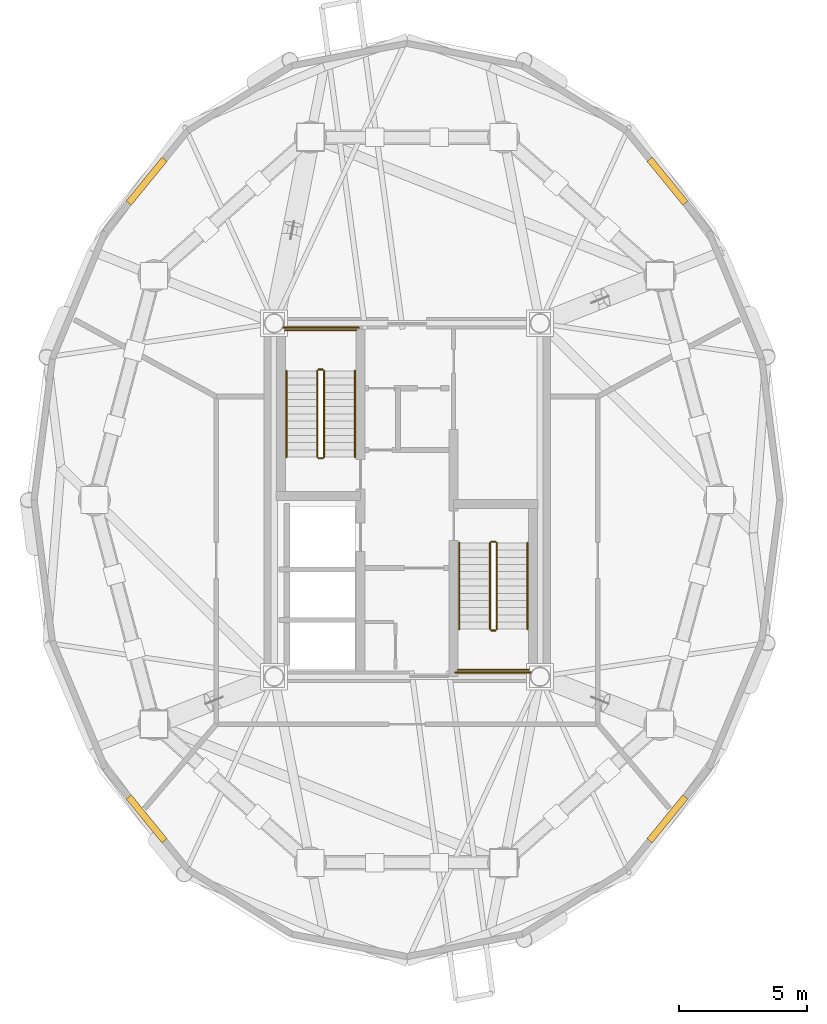
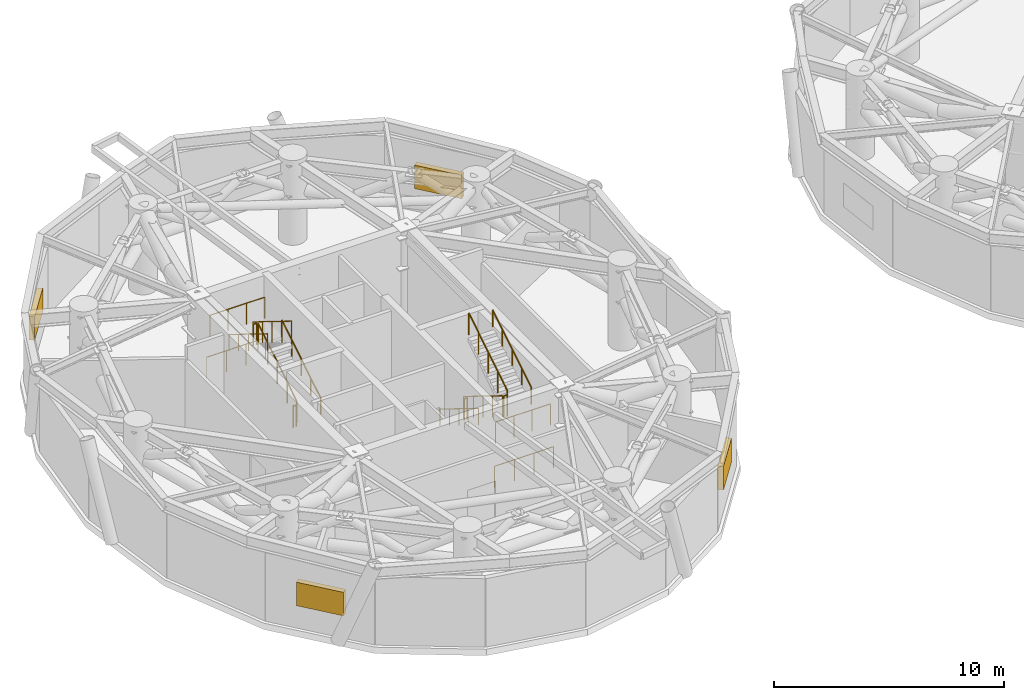
# One storey, part 14 of 16: 16 railings, 4 coverings.
"""IFC4 building model written with IfcOpenShell, lengths in metres."""

from ifc_helpers import new_model, si_unit, direction, frame, origin, origin_2d, place, context, subcontext, project, spatial, rectangle, circle, extrude, source, transform, mapped, material, type_object, element, save


model = new_model("IFC4")

# Units and contexts
model_context = context("Model", 3, precision=1e-05, world=origin(), true_north=direction((0.0, 1.0)))
body_context = subcontext(model_context, "Body", "Model", "MODEL_VIEW")
ifc_project = project(units=[si_unit("LENGTHUNIT", "METRE"), si_unit("AREAUNIT", "SQUARE_METRE"), si_unit("VOLUMEUNIT", "CUBIC_METRE"), si_unit("PLANEANGLEUNIT", "RADIAN"), si_unit("MASSUNIT", "GRAM", prefix="KILO")], contexts=[model_context])

# Site, building, storey
site_placement = place(None, origin())
site = spatial("IfcSite", under=ifc_project, at=site_placement, CompositionType="ELEMENT")
building_placement = place(site_placement, origin())
building = spatial("IfcBuilding", under=site, at=building_placement, Name="Cununo Teusaquillo Station Towers", CompositionType="ELEMENT")
storey_placement = place(building_placement, frame((0.0, 0.0, 147.10009765625)))
storey = spatial("IfcBuildingStorey", under=building, at=storey_placement, Name="L46", CompositionType="ELEMENT", Elevation=147.10009765625)

# Railings
ifc_material_1 = material(Name="Steel EN 10025-2 S355J2", Category="steel")
railing_type_1 = type_object("IfcRailingType", Name="RL-INT-GUARD", PredefinedType="GUARDRAIL", material=ifc_material_1)
railing_1_placement = place(storey_placement, frame((13.27001953125, 26.169921875, 0.173095703125)))
element("IfcRailing", 1, at=railing_1_placement, inside=storey, type_object=railing_type_1, Name="L46 ST-T1-1 stair guard 1", PredefinedType="GUARDRAIL", context=body_context, shape_type="SweptSolid", body=[
    extrude(circle(Radius=0.02392578125, at=origin_2d()), frame((0.0, 0.0, 1.1259765625), z_axis=(0.0, 0.850623216509, 0.525775754039), x_axis=(-1.0, 0.0, 0.0)), (0.0, 0.0, 1.0), 3.9501953125),
    extrude(circle(Radius=0.02099609375, at=origin_2d()), origin(), (0.0, 0.0, 1.0), 1.101806640625),
    extrude(circle(Radius=0.02099609375, at=origin_2d()), frame((0.0, 0.840087890625, 0.519287109375)), (0.0, 0.0, 1.0), 1.101806640625),
    extrude(circle(Radius=0.02099609375, at=origin_2d()), frame((0.0, 1.68017578125, 1.03857421875)), (0.0, 0.0, 1.0), 1.101806640625),
    extrude(circle(Radius=0.02099609375, at=origin_2d()), frame((0.0, 2.52001953125, 1.5576171875)), (0.0, 0.0, 1.0), 1.101806640625),
    extrude(circle(Radius=0.02099609375, at=origin_2d()), frame((0.0, 3.360107421875, 2.076904296875)), (0.0, 0.0, 1.0), 1.101806640625),
])
railing_2_placement = place(storey_placement, frame((13.219970703125, 29.580078125, 2.25)))
element("IfcRailing", 2, at=railing_2_placement, inside=storey, type_object=railing_type_1, Name="L46 ST-T1-1 stair guard 2", PredefinedType="GUARDRAIL", context=body_context, shape_type="SweptSolid", body=[
    extrude(circle(Radius=0.02392578125, at=origin_2d()), frame((0.0, 0.0, 1.1259765625), z_axis=(-1.0, 0.0, 0.0), x_axis=(0.0, -1.0, 0.0)), (0.0, 0.0, 1.0), 0.159912109375),
    extrude(circle(Radius=0.02099609375, at=origin_2d()), origin(), (0.0, 0.0, 1.0), 1.101806640625),
    extrude(circle(Radius=0.02099609375, at=origin_2d()), frame((-0.159912109375, 0.0, 0.0)), (0.0, 0.0, 1.0), 1.101806640625),
])
railing_3_placement = place(storey_placement, frame((14.52001953125, 31.110107421875, 2.25)))
element("IfcRailing", 3, at=railing_3_placement, inside=storey, type_object=railing_type_1, Name="L46 ST-T1-1 stair guard 3", PredefinedType="GUARDRAIL", context=body_context, shape_type="SweptSolid", body=[
    extrude(circle(Radius=0.02392578125, at=origin_2d()), frame((0.0, 0.0, 1.1259765625), z_axis=(-1.0, 0.0, 0.0), x_axis=(0.0, -1.0, 0.0)), (0.0, 0.0, 1.0), 2.760009765625),
    extrude(circle(Radius=0.02099609375, at=origin_2d()), origin(), (0.0, 0.0, 1.0), 1.101806640625),
    extrude(circle(Radius=0.02099609375, at=origin_2d()), frame((-0.919921875, 0.0, 0.0)), (0.0, 0.0, 1.0), 1.101806640625),
    extrude(circle(Radius=0.02099609375, at=origin_2d()), frame((-1.840087890625, 0.0, 0.0)), (0.0, 0.0, 1.0), 1.101806640625),
    extrude(circle(Radius=0.02099609375, at=origin_2d()), frame((-2.760009765625, 0.0, 0.0)), (0.0, 0.0, 1.0), 1.101806640625),
])
railing_4_placement = place(storey_placement, frame((13.010009765625, 29.530029296875, 2.423095703125)))
element("IfcRailing", 4, at=railing_4_placement, inside=storey, type_object=railing_type_1, Name="L46 ST-T1-1 stair guard 4", PredefinedType="GUARDRAIL", context=body_context, shape_type="SweptSolid", body=[
    extrude(circle(Radius=0.02392578125, at=origin_2d()), frame((0.0, 0.0, 1.1259765625), z_axis=(0.0, -0.850623216509, 0.525775754039), x_axis=(1.0, 0.0, 0.0)), (0.0, 0.0, 1.0), 3.9501953125),
    extrude(circle(Radius=0.02099609375, at=origin_2d()), origin(), (0.0, 0.0, 1.0), 1.101806640625),
    extrude(circle(Radius=0.02099609375, at=origin_2d()), frame((0.0, -0.840087890625, 0.519287109375)), (0.0, 0.0, 1.0), 1.101806640625),
    extrude(circle(Radius=0.02099609375, at=origin_2d()), frame((0.0, -1.68017578125, 1.03857421875)), (0.0, 0.0, 1.0), 1.101806640625),
    extrude(circle(Radius=0.02099609375, at=origin_2d()), frame((0.0, -2.52001953125, 1.5576171875)), (0.0, 0.0, 1.0), 1.101806640625),
    extrude(circle(Radius=0.02099609375, at=origin_2d()), frame((0.0, -3.360107421875, 2.076904296875)), (0.0, 0.0, 1.0), 1.101806640625),
])
railing_5_placement = place(storey_placement, frame((13.219970703125, 26.1201171875, 0.0)))
element("IfcRailing", 5, at=railing_5_placement, inside=storey, type_object=railing_type_1, Name="L46 ST-T1-1 stair guard 5", PredefinedType="GUARDRAIL", context=body_context, shape_type="SweptSolid", body=[
    extrude(circle(Radius=0.02392578125, at=origin_2d()), frame((0.0, 0.0, 1.1259765625), z_axis=(-1.0, 0.0, 0.0), x_axis=(0.0, -1.0, 0.0)), (0.0, 0.0, 1.0), 0.159912109375),
    extrude(circle(Radius=0.02099609375, at=origin_2d()), origin(), (0.0, 0.0, 1.0), 1.101806640625),
    extrude(circle(Radius=0.02099609375, at=origin_2d()), frame((-0.159912109375, 0.0, 0.0)), (0.0, 0.0, 1.0), 1.101806640625),
])
railing_6_placement = place(storey_placement, frame((14.6201171875, 31.2099609375, 0.0)))
element("IfcRailing", 6, at=railing_6_placement, inside=storey, type_object=railing_type_1, Name="L46 ST-T1-1 stair guard 6", PredefinedType="GUARDRAIL", context=body_context, shape_type="SweptSolid", body=[
    extrude(circle(Radius=0.02392578125, at=origin_2d()), frame((0.0, 0.0, 1.1259765625), z_axis=(-1.0, 0.0, 0.0), x_axis=(0.0, -1.0, 0.0)), (0.0, 0.0, 1.0), 2.960205078125),
    extrude(circle(Radius=0.02099609375, at=origin_2d()), origin(), (0.0, 0.0, 1.0), 1.101806640625),
    extrude(circle(Radius=0.02099609375, at=origin_2d()), frame((-0.98681640625, 0.0, 0.0)), (0.0, 0.0, 1.0), 1.101806640625),
    extrude(circle(Radius=0.02099609375, at=origin_2d()), frame((-1.973388671875, 0.0, 0.0)), (0.0, 0.0, 1.0), 1.101806640625),
    extrude(circle(Radius=0.02099609375, at=origin_2d()), frame((-2.960205078125, 0.0, 0.0)), (0.0, 0.0, 1.0), 1.101806640625),
])
railing_7_placement = place(storey_placement, frame((19.72998046875, 22.830078125, 0.173095703125)))
element("IfcRailing", 7, at=railing_7_placement, inside=storey, type_object=railing_type_1, Name="L46 ST-T1-2 stair guard 1", PredefinedType="GUARDRAIL", context=body_context, shape_type="SweptSolid", body=[
    extrude(circle(Radius=0.02392578125, at=origin_2d()), frame((0.0, 0.0, 1.1259765625), z_axis=(0.0, -0.850623216509, 0.525775754039), x_axis=(1.0, 0.0, 0.0)), (0.0, 0.0, 1.0), 3.9501953125),
    extrude(circle(Radius=0.02099609375, at=origin_2d()), origin(), (0.0, 0.0, 1.0), 1.101806640625),
    extrude(circle(Radius=0.02099609375, at=origin_2d()), frame((0.0, -0.840087890625, 0.519287109375)), (0.0, 0.0, 1.0), 1.101806640625),
    extrude(circle(Radius=0.02099609375, at=origin_2d()), frame((0.0, -1.68017578125, 1.03857421875)), (0.0, 0.0, 1.0), 1.101806640625),
    extrude(circle(Radius=0.02099609375, at=origin_2d()), frame((0.0, -2.52001953125, 1.5576171875)), (0.0, 0.0, 1.0), 1.101806640625),
    extrude(circle(Radius=0.02099609375, at=origin_2d()), frame((0.0, -3.360107421875, 2.076904296875)), (0.0, 0.0, 1.0), 1.101806640625),
])
railing_8_placement = place(storey_placement, frame((19.780029296875, 19.419921875, 2.25)))
element("IfcRailing", 8, at=railing_8_placement, inside=storey, type_object=railing_type_1, Name="L46 ST-T1-2 stair guard 2", PredefinedType="GUARDRAIL", context=body_context, shape_type="SweptSolid", body=[
    extrude(circle(Radius=0.02392578125, at=origin_2d()), frame((0.0, 0.0, 1.1259765625), z_axis=(1.0, 0.0, 0.0), x_axis=(0.0, 1.0, 0.0)), (0.0, 0.0, 1.0), 0.159912109375),
    extrude(circle(Radius=0.02099609375, at=origin_2d()), origin(), (0.0, 0.0, 1.0), 1.101806640625),
    extrude(circle(Radius=0.02099609375, at=origin_2d()), frame((0.159912109375, 0.0, 0.0)), (0.0, 0.0, 1.0), 1.101806640625),
])
railing_9_placement = place(storey_placement, frame((18.47998046875, 17.889892578125, 2.25)))
element("IfcRailing", 9, at=railing_9_placement, inside=storey, type_object=railing_type_1, Name="L46 ST-T1-2 stair guard 3", PredefinedType="GUARDRAIL", context=body_context, shape_type="SweptSolid", body=[
    extrude(circle(Radius=0.02392578125, at=origin_2d()), frame((0.0, 0.0, 1.1259765625), z_axis=(1.0, 0.0, 0.0), x_axis=(0.0, 1.0, 0.0)), (0.0, 0.0, 1.0), 2.760009765625),
    extrude(circle(Radius=0.02099609375, at=origin_2d()), origin(), (0.0, 0.0, 1.0), 1.101806640625),
    extrude(circle(Radius=0.02099609375, at=origin_2d()), frame((0.919921875, 0.0, 0.0)), (0.0, 0.0, 1.0), 1.101806640625),
    extrude(circle(Radius=0.02099609375, at=origin_2d()), frame((1.840087890625, 0.0, 0.0)), (0.0, 0.0, 1.0), 1.101806640625),
    extrude(circle(Radius=0.02099609375, at=origin_2d()), frame((2.760009765625, 0.0, 0.0)), (0.0, 0.0, 1.0), 1.101806640625),
])
railing_10_placement = place(storey_placement, frame((19.989990234375, 19.469970703125, 2.423095703125)))
element("IfcRailing", 10, at=railing_10_placement, inside=storey, type_object=railing_type_1, Name="L46 ST-T1-2 stair guard 4", PredefinedType="GUARDRAIL", context=body_context, shape_type="SweptSolid", body=[
    extrude(circle(Radius=0.02392578125, at=origin_2d()), frame((0.0, 0.0, 1.1259765625), z_axis=(0.0, 0.850623216509, 0.525775754039), x_axis=(-1.0, 0.0, 0.0)), (0.0, 0.0, 1.0), 3.9501953125),
    extrude(circle(Radius=0.02099609375, at=origin_2d()), origin(), (0.0, 0.0, 1.0), 1.101806640625),
    extrude(circle(Radius=0.02099609375, at=origin_2d()), frame((0.0, 0.840087890625, 0.519287109375)), (0.0, 0.0, 1.0), 1.101806640625),
    extrude(circle(Radius=0.02099609375, at=origin_2d()), frame((0.0, 1.68017578125, 1.03857421875)), (0.0, 0.0, 1.0), 1.101806640625),
    extrude(circle(Radius=0.02099609375, at=origin_2d()), frame((0.0, 2.52001953125, 1.5576171875)), (0.0, 0.0, 1.0), 1.101806640625),
    extrude(circle(Radius=0.02099609375, at=origin_2d()), frame((0.0, 3.360107421875, 2.076904296875)), (0.0, 0.0, 1.0), 1.101806640625),
])
railing_11_placement = place(storey_placement, frame((19.780029296875, 22.8798828125, 0.0)))
element("IfcRailing", 11, at=railing_11_placement, inside=storey, type_object=railing_type_1, Name="L46 ST-T1-2 stair guard 5", PredefinedType="GUARDRAIL", context=body_context, shape_type="SweptSolid", body=[
    extrude(circle(Radius=0.02392578125, at=origin_2d()), frame((0.0, 0.0, 1.1259765625), z_axis=(1.0, 0.0, 0.0), x_axis=(0.0, 1.0, 0.0)), (0.0, 0.0, 1.0), 0.159912109375),
    extrude(circle(Radius=0.02099609375, at=origin_2d()), origin(), (0.0, 0.0, 1.0), 1.101806640625),
    extrude(circle(Radius=0.02099609375, at=origin_2d()), frame((0.159912109375, 0.0, 0.0)), (0.0, 0.0, 1.0), 1.101806640625),
])
railing_12_placement = place(storey_placement, frame((18.3798828125, 17.7900390625, 0.0)))
element("IfcRailing", 12, at=railing_12_placement, inside=storey, type_object=railing_type_1, Name="L46 ST-T1-2 stair guard 6", PredefinedType="GUARDRAIL", context=body_context, shape_type="SweptSolid", body=[
    extrude(circle(Radius=0.02392578125, at=origin_2d()), frame((0.0, 0.0, 1.1259765625), z_axis=(1.0, 0.0, 0.0), x_axis=(0.0, 1.0, 0.0)), (0.0, 0.0, 1.0), 2.960205078125),
    extrude(circle(Radius=0.02099609375, at=origin_2d()), origin(), (0.0, 0.0, 1.0), 1.101806640625),
    extrude(circle(Radius=0.02099609375, at=origin_2d()), frame((0.98681640625, 0.0, 0.0)), (0.0, 0.0, 1.0), 1.101806640625),
    extrude(circle(Radius=0.02099609375, at=origin_2d()), frame((1.973388671875, 0.0, 0.0)), (0.0, 0.0, 1.0), 1.101806640625),
    extrude(circle(Radius=0.02099609375, at=origin_2d()), frame((2.960205078125, 0.0, 0.0)), (0.0, 0.0, 1.0), 1.101806640625),
])
ifc_material_2 = material(Name="Steel EN 10025-2 S355J2", Category="steel")
railing_type_2 = type_object("IfcRailingType", Name="RL-INT-HRAIL", PredefinedType="HANDRAIL", material=ifc_material_2)
railing_13_placement = place(storey_placement, frame((14.469970703125, 26.169921875, 0.173095703125)))
element("IfcRailing", 13, at=railing_13_placement, inside=storey, type_object=railing_type_2, Name="L46 ST-T1-1 stair handrail 1", PredefinedType="HANDRAIL", context=body_context, shape_type="SweptSolid", body=[
    extrude(circle(Radius=0.02392578125, at=origin_2d()), frame((0.0, 0.0, 0.8759765625), z_axis=(0.0, 0.850623216509, 0.525775754039), x_axis=(-1.0, 0.0, 0.0)), (0.0, 0.0, 1.0), 3.9501953125),
    extrude(circle(Radius=0.02099609375, at=origin_2d()), origin(), (0.0, 0.0, 1.0), 0.851806640625),
    extrude(circle(Radius=0.02099609375, at=origin_2d()), frame((0.0, 0.840087890625, 0.519287109375)), (0.0, 0.0, 1.0), 0.851806640625),
    extrude(circle(Radius=0.02099609375, at=origin_2d()), frame((0.0, 1.68017578125, 1.03857421875)), (0.0, 0.0, 1.0), 0.851806640625),
    extrude(circle(Radius=0.02099609375, at=origin_2d()), frame((0.0, 2.52001953125, 1.5576171875)), (0.0, 0.0, 1.0), 0.851806640625),
    extrude(circle(Radius=0.02099609375, at=origin_2d()), frame((0.0, 3.360107421875, 2.076904296875)), (0.0, 0.0, 1.0), 0.851806640625),
])
for number, where, name in (
    (14, (11.81005859375, 29.530029296875, 2.423095703125), "L46 ST-T1-1 stair handrail 2"),
    (15, (18.530029296875, 22.830078125, 0.173095703125), "L46 ST-T1-2 stair handrail 1"),
):
    element("IfcRailing", number, at=place(storey_placement, frame(where)), inside=storey, type_object=railing_type_2, Name=name, PredefinedType="HANDRAIL", context=body_context, shape_type="SweptSolid", body=[
        extrude(circle(Radius=0.02392578125, at=origin_2d()), frame((0.0, 0.0, 0.8759765625), z_axis=(0.0, -0.850623216509, 0.525775754039), x_axis=(1.0, 0.0, 0.0)), (0.0, 0.0, 1.0), 3.9501953125),
        extrude(circle(Radius=0.02099609375, at=origin_2d()), origin(), (0.0, 0.0, 1.0), 0.851806640625),
        extrude(circle(Radius=0.02099609375, at=origin_2d()), frame((0.0, -0.840087890625, 0.519287109375)), (0.0, 0.0, 1.0), 0.851806640625),
        extrude(circle(Radius=0.02099609375, at=origin_2d()), frame((0.0, -1.68017578125, 1.03857421875)), (0.0, 0.0, 1.0), 0.851806640625),
        extrude(circle(Radius=0.02099609375, at=origin_2d()), frame((0.0, -2.52001953125, 1.5576171875)), (0.0, 0.0, 1.0), 0.851806640625),
        extrude(circle(Radius=0.02099609375, at=origin_2d()), frame((0.0, -3.360107421875, 2.076904296875)), (0.0, 0.0, 1.0), 0.851806640625),
    ])
railing_14_placement = place(storey_placement, frame((21.18994140625, 19.469970703125, 2.423095703125)))
element("IfcRailing", 16, at=railing_14_placement, inside=storey, type_object=railing_type_2, Name="L46 ST-T1-2 stair handrail 2", PredefinedType="HANDRAIL", context=body_context, shape_type="SweptSolid", body=[
    extrude(circle(Radius=0.02392578125, at=origin_2d()), frame((0.0, 0.0, 0.8759765625), z_axis=(0.0, 0.850623216509, 0.525775754039), x_axis=(-1.0, 0.0, 0.0)), (0.0, 0.0, 1.0), 3.9501953125),
    extrude(circle(Radius=0.02099609375, at=origin_2d()), origin(), (0.0, 0.0, 1.0), 0.851806640625),
    extrude(circle(Radius=0.02099609375, at=origin_2d()), frame((0.0, 0.840087890625, 0.519287109375)), (0.0, 0.0, 1.0), 0.851806640625),
    extrude(circle(Radius=0.02099609375, at=origin_2d()), frame((0.0, 1.68017578125, 1.03857421875)), (0.0, 0.0, 1.0), 0.851806640625),
    extrude(circle(Radius=0.02099609375, at=origin_2d()), frame((0.0, 2.52001953125, 1.5576171875)), (0.0, 0.0, 1.0), 0.851806640625),
    extrude(circle(Radius=0.02099609375, at=origin_2d()), frame((0.0, 3.360107421875, 2.076904296875)), (0.0, 0.0, 1.0), 0.851806640625),
])

# Coverings
ifc_material_3 = material(Name="Anodised dark bronze aluminium EN AW-6063-T6", Category="aluminium")
covering_type = type_object("IfcCoveringType", Name="COV-LOUVRE-ACOUSTIC", PredefinedType="USERDEFINED", material=ifc_material_3)
shared_shape = source(origin(), body_context, "Body", "SweptSolid", [
    extrude(rectangle(XDim=2.199951171875, YDim=0.260009765625, at=origin_2d()), origin(), (0.0, 0.0, 1.0), 1.25),
])
for number, where, z_axis, x_axis, name in (
    (17, (26.63720703125, 36.91064453125, 1.19287109375), (0.0, 0.0, 1.0), (0.632570161913, -0.774503060199, 0.0), "L46 Tower A Acoustic Plant Louvre C02"),
    (18, (6.36279296875, 36.91064453125, 1.19287109375), (0.0, 0.0, 1.0), (0.632570161913, 0.774503060199, 0.0), "L46 Tower A Acoustic Plant Louvre C07"),
    (19, (6.36279296875, 12.08935546875, 1.19287109375), (0.0, 0.0, 1.0), (-0.632570161913, 0.774503060199, 0.0), "L46 Tower A Acoustic Plant Louvre C12"),
    (20, (26.63720703125, 12.08935546875, 1.19287109375), (0.0, 0.0, 1.0), (-0.632570161913, -0.774503060199, 0.0), "L46 Tower A Acoustic Plant Louvre C17"),
):
    element("IfcCovering", number, at=place(storey_placement, frame(where, z_axis=z_axis, x_axis=x_axis)), inside=storey, type_object=covering_type, Name=name, ObjectType="LOUVRE", PredefinedType="USERDEFINED", context=body_context, shape_type="MappedRepresentation", body=[
        mapped(shared_shape, transform((0.0, 0.0, 0.0), x_axis=(1.0, 0.0, 0.0), y_axis=(0.0, 1.0, 0.0), z_axis=(0.0, 0.0, 1.0), scale=1.0)),
    ])

save(model, "model.ifc")
